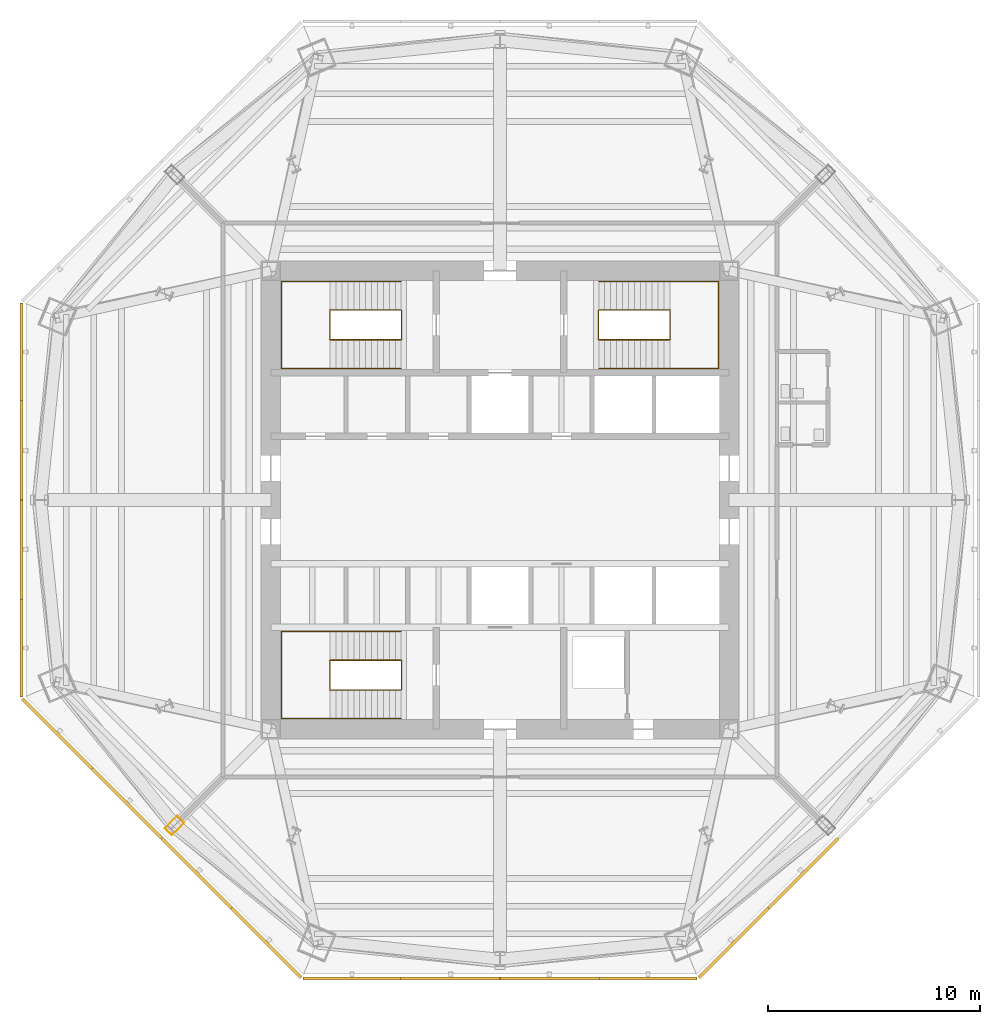
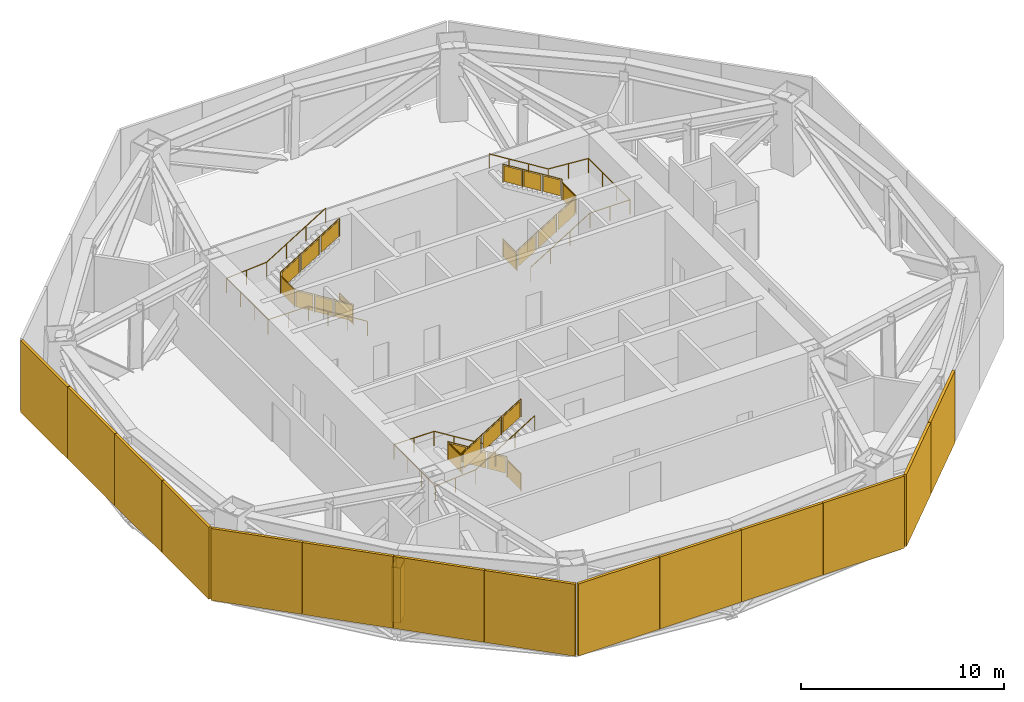
# One storey, part 8 of 10: 14 shading devices, 6 railings, 1 covering.
"""IFC4 building model written with IfcOpenShell, lengths in metres."""

from ifc_helpers import new_model, si_unit, direction, frame, origin, origin_2d, place, context, subcontext, project, spatial, polyline, rectangle, circle, outline, extrude, source, transform, mapped, material, layer, layer_set, type_object, type_shapes, element, save


model = new_model("IFC4")

# Units and contexts
model_context = context("Model", 3, precision=1e-05, world=origin(), true_north=direction((0.0, 1.0)))
body_context = subcontext(model_context, "Body", "Model", "MODEL_VIEW")
ifc_project = project(units=[si_unit("LENGTHUNIT", "METRE"), si_unit("AREAUNIT", "SQUARE_METRE"), si_unit("VOLUMEUNIT", "CUBIC_METRE"), si_unit("PLANEANGLEUNIT", "RADIAN"), si_unit("MASSUNIT", "GRAM", prefix="KILO")], contexts=[model_context])

# Site, building, storey
site_placement = place(None, origin())
site = spatial("IfcSite", under=ifc_project, at=site_placement, CompositionType="ELEMENT")
building_placement = place(site_placement, origin())
building = spatial("IfcBuilding", under=site, at=building_placement, Name="Mashrafa Tower", CompositionType="ELEMENT")
storey_placement = place(building_placement, frame((0.0, 0.0, 193.5)))
storey = spatial("IfcBuildingStorey", under=building, at=storey_placement, Name="L44", CompositionType="ELEMENT", Elevation=193.5)

# Covering
ifc_material_1 = material(Name="Gypsum board")
ifc_layer_1 = layer(ifc_material_1, 0.014892578125)
ifc_layer_set_1 = layer_set([ifc_layer_1], Name="Column casing plasterboard 15")
covering_type = type_object("IfcCoveringType", Name="Column casing plasterboard 15", PredefinedType="CLADDING", material=ifc_layer_set_1)
covering_placement = place(storey_placement, origin())
element("IfcCovering", 1, at=covering_placement, inside=storey, type_object=covering_type, Name="Column casing L44-003", PredefinedType="CLADDING", context=body_context, shape_type="SweptSolid", body=[
    extrude(outline(polyline([(-15.801025390625, -15.461669921875), (-15.20849609375, -14.869140625), (-14.869140625, -15.20849609375), (-15.461669921875, -15.801025390625), (-15.801025390625, -15.461669921875)]), holes=[polyline([(-14.890380859375, -15.20849609375), (-15.20849609375, -14.890380859375), (-15.77978515625, -15.461669921875), (-15.461669921875, -15.77978515625), (-14.890380859375, -15.20849609375)])]), origin(), (0.0, 0.0, 1.0), 3.31298828125),
])

# Railings
ifc_material_2 = material(Name="Steel guard with glass infill", Category="steel")
railing_type_1 = type_object("IfcRailingType", Name="Stair guard 1100", PredefinedType="GUARDRAIL", material=ifc_material_2)
railing_1_placement = place(storey_placement, frame((-4.64990234375, 8.949951171875, 0.0)))
element("IfcRailing", 2, at=railing_1_placement, inside=storey, type_object=railing_type_1, Name="Stair S1 guard L44", PredefinedType="GUARDRAIL", context=body_context, shape_type="SweptSolid", body=[
    extrude(circle(Radius=0.02392578125, at=origin_2d()), frame((0.0, 0.0, 1.076171875), z_axis=(0.0, -1.0, 0.0), x_axis=(1.0, 0.0, 0.0)), (0.0, 0.0, 1.0), 1.39990234375),
    extrude(circle(Radius=0.02392578125, at=origin_2d()), frame((0.0, -1.39990234375, 1.076171875), z_axis=(0.0, 0.0, 1.0), x_axis=(1.0, 0.0, 0.0)), (0.0, 0.0, 1.0), 0.173095703125),
    extrude(circle(Radius=0.02392578125, at=origin_2d()), frame((0.0, -1.39990234375, 1.2490234375), z_axis=(-0.850623216509, 0.0, 0.525775754039), x_axis=(0.0, -1.0, 0.0)), (0.0, 0.0, 1.0), 3.9501953125),
    extrude(circle(Radius=0.02392578125, at=origin_2d()), frame((-3.360107421875, -1.39990234375, 3.326171875), z_axis=(0.0, 1.0, 0.0), x_axis=(-1.0, 0.0, 0.0)), (0.0, 0.0, 1.0), 1.39990234375),
    extrude(circle(Radius=0.02392578125, at=origin_2d()), frame((-3.360107421875, 0.0, 3.326171875), z_axis=(0.0, 0.0, 1.0), x_axis=(1.0, 0.0, 0.0)), (0.0, 0.0, 1.0), 0.173095703125),
    extrude(circle(Radius=0.02392578125, at=origin_2d()), frame((-3.360107421875, 0.0, 3.4990234375), z_axis=(0.850623216509, 0.0, 0.525775754039), x_axis=(0.0, 1.0, 0.0)), (0.0, 0.0, 1.0), 3.9501953125),
    extrude(circle(Radius=0.02099609375, at=origin_2d()), origin(), (0.0, 0.0, 1.0), 1.052001953125),
    extrude(circle(Radius=0.02099609375, at=origin_2d()), frame((0.0, -1.39990234375, 0.0)), (0.0, 0.0, 1.0), 1.052001953125),
    extrude(circle(Radius=0.02099609375, at=origin_2d()), frame((0.0, -1.39990234375, 0.173095703125)), (0.0, 0.0, 1.0), 1.052001953125),
    extrude(circle(Radius=0.02099609375, at=origin_2d()), frame((-1.1201171875, -1.39990234375, 0.865478515625)), (0.0, 0.0, 1.0), 1.052001953125),
    extrude(circle(Radius=0.02099609375, at=origin_2d()), frame((-2.239990234375, -1.39990234375, 1.5576171875)), (0.0, 0.0, 1.0), 1.052001953125),
    extrude(circle(Radius=0.02099609375, at=origin_2d()), frame((-3.360107421875, -1.39990234375, 2.25)), (0.0, 0.0, 1.0), 1.052001953125),
    extrude(circle(Radius=0.02099609375, at=origin_2d()), frame((-3.360107421875, 0.0, 2.25)), (0.0, 0.0, 1.0), 1.052001953125),
    extrude(circle(Radius=0.02099609375, at=origin_2d()), frame((-3.360107421875, 0.0, 2.423095703125)), (0.0, 0.0, 1.0), 1.052001953125),
    extrude(circle(Radius=0.02099609375, at=origin_2d()), frame((-2.239990234375, 0.0, 3.115478515625)), (0.0, 0.0, 1.0), 1.052001953125),
    extrude(circle(Radius=0.02099609375, at=origin_2d()), frame((-1.1201171875, 0.0, 3.8076171875)), (0.0, 0.0, 1.0), 1.052001953125),
    extrude(circle(Radius=0.02099609375, at=origin_2d()), frame((0.0, 0.0, 4.5)), (0.0, 0.0, 1.0), 1.052001953125),
    extrude(outline(polyline([(0.071044921875, 0.050048828125), (1.328857421875, 0.050048828125), (1.328857421875, 1.001953125), (0.071044921875, 1.001953125), (0.071044921875, 0.050048828125)])), frame((-0.006103515625, 0.0, 0.0), z_axis=(-1.0, 0.0, 0.0), x_axis=(0.0, -1.0, 0.0)), (0.0, 0.0, 1.0), 0.011962890625),
    extrude(outline(polyline([(0.071044921875, 0.093994140625), (1.049072265625, 0.698486328125), (1.049072265625, 1.650390625), (0.071044921875, 1.0458984375), (0.071044921875, 0.093994140625)])), frame((0.0, -1.393798828125, 0.173095703125), z_axis=(0.0, 1.0, 0.0), x_axis=(-1.0, 0.0, 0.0)), (0.0, 0.0, 1.0), 0.011962890625),
    extrude(outline(polyline([(1.19091796875, 0.7861328125), (2.169189453125, 1.390625), (2.169189453125, 2.3427734375), (1.19091796875, 1.73828125), (1.19091796875, 0.7861328125)])), frame((0.0, -1.393798828125, 0.173095703125), z_axis=(0.0, 1.0, 0.0), x_axis=(-1.0, 0.0, 0.0)), (0.0, 0.0, 1.0), 0.011962890625),
    extrude(outline(polyline([(2.31103515625, 1.478515625), (3.2890625, 2.0830078125), (3.2890625, 3.034912109375), (2.31103515625, 2.430419921875), (2.31103515625, 1.478515625)])), frame((0.0, -1.393798828125, 0.173095703125), z_axis=(0.0, 1.0, 0.0), x_axis=(-1.0, 0.0, 0.0)), (0.0, 0.0, 1.0), 0.011962890625),
    extrude(outline(polyline([(0.071044921875, 0.050048828125), (1.328857421875, 0.050048828125), (1.328857421875, 1.001953125), (0.071044921875, 1.001953125), (0.071044921875, 0.050048828125)])), frame((-3.35400390625, -1.39990234375, 2.25), z_axis=(1.0, 0.0, 0.0), x_axis=(0.0, 1.0, 0.0)), (0.0, 0.0, 1.0), 0.011962890625),
    extrude(outline(polyline([(0.071044921875, 0.093994140625), (1.049072265625, 0.698486328125), (1.049072265625, 1.650390625), (0.071044921875, 1.0458984375), (0.071044921875, 0.093994140625)])), frame((-3.360107421875, -0.006103515625, 2.423095703125), z_axis=(0.0, -1.0, 0.0), x_axis=(1.0, 0.0, 0.0)), (0.0, 0.0, 1.0), 0.011962890625),
    extrude(outline(polyline([(1.19091796875, 0.7861328125), (2.169189453125, 1.390625), (2.169189453125, 2.3427734375), (1.19091796875, 1.73828125), (1.19091796875, 0.7861328125)])), frame((-3.360107421875, -0.006103515625, 2.423095703125), z_axis=(0.0, -1.0, 0.0), x_axis=(1.0, 0.0, 0.0)), (0.0, 0.0, 1.0), 0.011962890625),
    extrude(outline(polyline([(2.31103515625, 1.478515625), (3.2890625, 2.0830078125), (3.2890625, 3.034912109375), (2.31103515625, 2.430419921875), (2.31103515625, 1.478515625)])), frame((-3.360107421875, -0.006103515625, 2.423095703125), z_axis=(0.0, -1.0, 0.0), x_axis=(1.0, 0.0, 0.0)), (0.0, 0.0, 1.0), 0.011962890625),
])
railing_2_placement = place(storey_placement, frame((4.64990234375, 8.949951171875, 0.0)))
element("IfcRailing", 3, at=railing_2_placement, inside=storey, type_object=railing_type_1, Name="Stair S2 guard L44", PredefinedType="GUARDRAIL", context=body_context, shape_type="SweptSolid", body=[
    extrude(circle(Radius=0.02392578125, at=origin_2d()), frame((0.0, 0.0, 1.076171875), z_axis=(0.0, -1.0, 0.0), x_axis=(1.0, 0.0, 0.0)), (0.0, 0.0, 1.0), 1.39990234375),
    extrude(circle(Radius=0.02392578125, at=origin_2d()), frame((0.0, -1.39990234375, 1.076171875), z_axis=(0.0, 0.0, 1.0), x_axis=(1.0, 0.0, 0.0)), (0.0, 0.0, 1.0), 0.173095703125),
    extrude(circle(Radius=0.02392578125, at=origin_2d()), frame((0.0, -1.39990234375, 1.2490234375), z_axis=(0.850623216509, 0.0, 0.525775754039), x_axis=(0.0, 1.0, 0.0)), (0.0, 0.0, 1.0), 3.9501953125),
    extrude(circle(Radius=0.02392578125, at=origin_2d()), frame((3.360107421875, -1.39990234375, 3.326171875), z_axis=(0.0, 1.0, 0.0), x_axis=(-1.0, 0.0, 0.0)), (0.0, 0.0, 1.0), 1.39990234375),
    extrude(circle(Radius=0.02392578125, at=origin_2d()), frame((3.360107421875, 0.0, 3.326171875), z_axis=(0.0, 0.0, 1.0), x_axis=(1.0, 0.0, 0.0)), (0.0, 0.0, 1.0), 0.173095703125),
    extrude(circle(Radius=0.02392578125, at=origin_2d()), frame((3.360107421875, 0.0, 3.4990234375), z_axis=(-0.850623216509, 0.0, 0.525775754039), x_axis=(0.0, -1.0, 0.0)), (0.0, 0.0, 1.0), 3.9501953125),
    extrude(circle(Radius=0.02099609375, at=origin_2d()), origin(), (0.0, 0.0, 1.0), 1.052001953125),
    extrude(circle(Radius=0.02099609375, at=origin_2d()), frame((0.0, -1.39990234375, 0.0)), (0.0, 0.0, 1.0), 1.052001953125),
    extrude(circle(Radius=0.02099609375, at=origin_2d()), frame((0.0, -1.39990234375, 0.173095703125)), (0.0, 0.0, 1.0), 1.052001953125),
    extrude(circle(Radius=0.02099609375, at=origin_2d()), frame((1.1201171875, -1.39990234375, 0.865478515625)), (0.0, 0.0, 1.0), 1.052001953125),
    extrude(circle(Radius=0.02099609375, at=origin_2d()), frame((2.239990234375, -1.39990234375, 1.5576171875)), (0.0, 0.0, 1.0), 1.052001953125),
    extrude(circle(Radius=0.02099609375, at=origin_2d()), frame((3.360107421875, -1.39990234375, 2.25)), (0.0, 0.0, 1.0), 1.052001953125),
    extrude(circle(Radius=0.02099609375, at=origin_2d()), frame((3.360107421875, 0.0, 2.25)), (0.0, 0.0, 1.0), 1.052001953125),
    extrude(circle(Radius=0.02099609375, at=origin_2d()), frame((3.360107421875, 0.0, 2.423095703125)), (0.0, 0.0, 1.0), 1.052001953125),
    extrude(circle(Radius=0.02099609375, at=origin_2d()), frame((2.239990234375, 0.0, 3.115478515625)), (0.0, 0.0, 1.0), 1.052001953125),
    extrude(circle(Radius=0.02099609375, at=origin_2d()), frame((1.1201171875, 0.0, 3.8076171875)), (0.0, 0.0, 1.0), 1.052001953125),
    extrude(circle(Radius=0.02099609375, at=origin_2d()), frame((0.0, 0.0, 4.5)), (0.0, 0.0, 1.0), 1.052001953125),
    extrude(outline(polyline([(0.071044921875, 0.050048828125), (1.328857421875, 0.050048828125), (1.328857421875, 1.001953125), (0.071044921875, 1.001953125), (0.071044921875, 0.050048828125)])), frame((-0.006103515625, 0.0, 0.0), z_axis=(-1.0, 0.0, 0.0), x_axis=(0.0, -1.0, 0.0)), (0.0, 0.0, 1.0), 0.011962890625),
    extrude(outline(polyline([(0.071044921875, 0.093994140625), (1.049072265625, 0.698486328125), (1.049072265625, 1.650390625), (0.071044921875, 1.0458984375), (0.071044921875, 0.093994140625)])), frame((0.0, -1.406005859375, 0.173095703125), z_axis=(0.0, -1.0, 0.0), x_axis=(1.0, 0.0, 0.0)), (0.0, 0.0, 1.0), 0.011962890625),
    extrude(outline(polyline([(1.19091796875, 0.7861328125), (2.169189453125, 1.390625), (2.169189453125, 2.3427734375), (1.19091796875, 1.73828125), (1.19091796875, 0.7861328125)])), frame((0.0, -1.406005859375, 0.173095703125), z_axis=(0.0, -1.0, 0.0), x_axis=(1.0, 0.0, 0.0)), (0.0, 0.0, 1.0), 0.011962890625),
    extrude(outline(polyline([(2.31103515625, 1.478515625), (3.2890625, 2.0830078125), (3.2890625, 3.034912109375), (2.31103515625, 2.430419921875), (2.31103515625, 1.478515625)])), frame((0.0, -1.406005859375, 0.173095703125), z_axis=(0.0, -1.0, 0.0), x_axis=(1.0, 0.0, 0.0)), (0.0, 0.0, 1.0), 0.011962890625),
    extrude(outline(polyline([(0.071044921875, 0.050048828125), (1.328857421875, 0.050048828125), (1.328857421875, 1.001953125), (0.071044921875, 1.001953125), (0.071044921875, 0.050048828125)])), frame((3.3662109375, -1.39990234375, 2.25), z_axis=(1.0, 0.0, 0.0), x_axis=(0.0, 1.0, 0.0)), (0.0, 0.0, 1.0), 0.011962890625),
    extrude(outline(polyline([(0.071044921875, 0.093994140625), (1.049072265625, 0.698486328125), (1.049072265625, 1.650390625), (0.071044921875, 1.0458984375), (0.071044921875, 0.093994140625)])), frame((3.360107421875, 0.006103515625, 2.423095703125), z_axis=(0.0, 1.0, 0.0), x_axis=(-1.0, 0.0, 0.0)), (0.0, 0.0, 1.0), 0.011962890625),
    extrude(outline(polyline([(1.19091796875, 0.7861328125), (2.169189453125, 1.390625), (2.169189453125, 2.3427734375), (1.19091796875, 1.73828125), (1.19091796875, 0.7861328125)])), frame((3.360107421875, 0.006103515625, 2.423095703125), z_axis=(0.0, 1.0, 0.0), x_axis=(-1.0, 0.0, 0.0)), (0.0, 0.0, 1.0), 0.011962890625),
    extrude(outline(polyline([(2.31103515625, 1.478515625), (3.2890625, 2.0830078125), (3.2890625, 3.034912109375), (2.31103515625, 2.430419921875), (2.31103515625, 1.478515625)])), frame((3.360107421875, 0.006103515625, 2.423095703125), z_axis=(0.0, 1.0, 0.0), x_axis=(-1.0, 0.0, 0.0)), (0.0, 0.0, 1.0), 0.011962890625),
])
railing_3_placement = place(storey_placement, frame((-4.64990234375, -8.949951171875, 0.0)))
element("IfcRailing", 4, at=railing_3_placement, inside=storey, type_object=railing_type_1, Name="Stair S3 guard L44", PredefinedType="GUARDRAIL", context=body_context, shape_type="SweptSolid", body=[
    extrude(circle(Radius=0.02392578125, at=origin_2d()), frame((0.0, 0.0, 1.076171875), z_axis=(0.0, 1.0, 0.0), x_axis=(-1.0, 0.0, 0.0)), (0.0, 0.0, 1.0), 1.39990234375),
    extrude(circle(Radius=0.02392578125, at=origin_2d()), frame((0.0, 1.39990234375, 1.076171875), z_axis=(0.0, 0.0, 1.0), x_axis=(1.0, 0.0, 0.0)), (0.0, 0.0, 1.0), 0.173095703125),
    extrude(circle(Radius=0.02392578125, at=origin_2d()), frame((0.0, 1.39990234375, 1.2490234375), z_axis=(-0.850623216509, 0.0, 0.525775754039), x_axis=(0.0, -1.0, 0.0)), (0.0, 0.0, 1.0), 3.9501953125),
    extrude(circle(Radius=0.02392578125, at=origin_2d()), frame((-3.360107421875, 1.39990234375, 3.326171875), z_axis=(0.0, -1.0, 0.0), x_axis=(1.0, 0.0, 0.0)), (0.0, 0.0, 1.0), 1.39990234375),
    extrude(circle(Radius=0.02392578125, at=origin_2d()), frame((-3.360107421875, 0.0, 3.326171875), z_axis=(0.0, 0.0, 1.0), x_axis=(1.0, 0.0, 0.0)), (0.0, 0.0, 1.0), 0.173095703125),
    extrude(circle(Radius=0.02392578125, at=origin_2d()), frame((-3.360107421875, 0.0, 3.4990234375), z_axis=(0.850623216509, 0.0, 0.525775754039), x_axis=(0.0, 1.0, 0.0)), (0.0, 0.0, 1.0), 3.9501953125),
    extrude(circle(Radius=0.02099609375, at=origin_2d()), origin(), (0.0, 0.0, 1.0), 1.052001953125),
    extrude(circle(Radius=0.02099609375, at=origin_2d()), frame((0.0, 1.39990234375, 0.0)), (0.0, 0.0, 1.0), 1.052001953125),
    extrude(circle(Radius=0.02099609375, at=origin_2d()), frame((0.0, 1.39990234375, 0.173095703125)), (0.0, 0.0, 1.0), 1.052001953125),
    extrude(circle(Radius=0.02099609375, at=origin_2d()), frame((-1.1201171875, 1.39990234375, 0.865478515625)), (0.0, 0.0, 1.0), 1.052001953125),
    extrude(circle(Radius=0.02099609375, at=origin_2d()), frame((-2.239990234375, 1.39990234375, 1.5576171875)), (0.0, 0.0, 1.0), 1.052001953125),
    extrude(circle(Radius=0.02099609375, at=origin_2d()), frame((-3.360107421875, 1.39990234375, 2.25)), (0.0, 0.0, 1.0), 1.052001953125),
    extrude(circle(Radius=0.02099609375, at=origin_2d()), frame((-3.360107421875, 0.0, 2.25)), (0.0, 0.0, 1.0), 1.052001953125),
    extrude(circle(Radius=0.02099609375, at=origin_2d()), frame((-3.360107421875, 0.0, 2.423095703125)), (0.0, 0.0, 1.0), 1.052001953125),
    extrude(circle(Radius=0.02099609375, at=origin_2d()), frame((-2.239990234375, 0.0, 3.115478515625)), (0.0, 0.0, 1.0), 1.052001953125),
    extrude(circle(Radius=0.02099609375, at=origin_2d()), frame((-1.1201171875, 0.0, 3.8076171875)), (0.0, 0.0, 1.0), 1.052001953125),
    extrude(circle(Radius=0.02099609375, at=origin_2d()), frame((0.0, 0.0, 4.5)), (0.0, 0.0, 1.0), 1.052001953125),
    extrude(outline(polyline([(0.071044921875, 0.050048828125), (1.328857421875, 0.050048828125), (1.328857421875, 1.001953125), (0.071044921875, 1.001953125), (0.071044921875, 0.050048828125)])), frame((0.006103515625, 0.0, 0.0), z_axis=(1.0, 0.0, 0.0), x_axis=(0.0, 1.0, 0.0)), (0.0, 0.0, 1.0), 0.011962890625),
    extrude(outline(polyline([(0.071044921875, 0.093994140625), (1.049072265625, 0.698486328125), (1.049072265625, 1.650390625), (0.071044921875, 1.0458984375), (0.071044921875, 0.093994140625)])), frame((0.0, 1.406005859375, 0.173095703125), z_axis=(0.0, 1.0, 0.0), x_axis=(-1.0, 0.0, 0.0)), (0.0, 0.0, 1.0), 0.011962890625),
    extrude(outline(polyline([(1.19091796875, 0.7861328125), (2.169189453125, 1.390625), (2.169189453125, 2.3427734375), (1.19091796875, 1.73828125), (1.19091796875, 0.7861328125)])), frame((0.0, 1.406005859375, 0.173095703125), z_axis=(0.0, 1.0, 0.0), x_axis=(-1.0, 0.0, 0.0)), (0.0, 0.0, 1.0), 0.011962890625),
    extrude(outline(polyline([(2.31103515625, 1.478515625), (3.2890625, 2.0830078125), (3.2890625, 3.034912109375), (2.31103515625, 2.430419921875), (2.31103515625, 1.478515625)])), frame((0.0, 1.406005859375, 0.173095703125), z_axis=(0.0, 1.0, 0.0), x_axis=(-1.0, 0.0, 0.0)), (0.0, 0.0, 1.0), 0.011962890625),
    extrude(outline(polyline([(0.071044921875, 0.050048828125), (1.328857421875, 0.050048828125), (1.328857421875, 1.001953125), (0.071044921875, 1.001953125), (0.071044921875, 0.050048828125)])), frame((-3.3662109375, 1.39990234375, 2.25), z_axis=(-1.0, 0.0, 0.0), x_axis=(0.0, -1.0, 0.0)), (0.0, 0.0, 1.0), 0.011962890625),
    extrude(outline(polyline([(0.071044921875, 0.093994140625), (1.049072265625, 0.698486328125), (1.049072265625, 1.650390625), (0.071044921875, 1.0458984375), (0.071044921875, 0.093994140625)])), frame((-3.360107421875, -0.006103515625, 2.423095703125), z_axis=(0.0, -1.0, 0.0), x_axis=(1.0, 0.0, 0.0)), (0.0, 0.0, 1.0), 0.011962890625),
    extrude(outline(polyline([(1.19091796875, 0.7861328125), (2.169189453125, 1.390625), (2.169189453125, 2.3427734375), (1.19091796875, 1.73828125), (1.19091796875, 0.7861328125)])), frame((-3.360107421875, -0.006103515625, 2.423095703125), z_axis=(0.0, -1.0, 0.0), x_axis=(1.0, 0.0, 0.0)), (0.0, 0.0, 1.0), 0.011962890625),
    extrude(outline(polyline([(2.31103515625, 1.478515625), (3.2890625, 2.0830078125), (3.2890625, 3.034912109375), (2.31103515625, 2.430419921875), (2.31103515625, 1.478515625)])), frame((-3.360107421875, -0.006103515625, 2.423095703125), z_axis=(0.0, -1.0, 0.0), x_axis=(1.0, 0.0, 0.0)), (0.0, 0.0, 1.0), 0.011962890625),
])
ifc_material_3 = material(Name="Steel", Category="steel")
railing_type_2 = type_object("IfcRailingType", Name="Stair handrail 900", PredefinedType="HANDRAIL", material=ifc_material_3)
railing_4_placement = place(storey_placement, frame((-4.64990234375, 6.199951171875, 0.173095703125)))
element("IfcRailing", 5, at=railing_4_placement, inside=storey, type_object=railing_type_2, Name="Stair S1 handrail L44", PredefinedType="HANDRAIL", context=body_context, shape_type="SweptSolid", body=[
    extrude(circle(Radius=0.02392578125, at=origin_2d()), frame((0.0, 0.0, 0.8759765625), z_axis=(-0.850623216509, 0.0, 0.525775754039), x_axis=(0.0, -1.0, 0.0)), (0.0, 0.0, 1.0), 3.9501953125),
    extrude(circle(Radius=0.02392578125, at=origin_2d()), frame((-3.360107421875, 0.0, 2.95263671875), z_axis=(-1.0, 0.0, 0.0), x_axis=(0.0, -1.0, 0.0)), (0.0, 0.0, 1.0), 2.2900390625),
    extrude(circle(Radius=0.02392578125, at=origin_2d()), frame((-5.650146484375, 0.0, 2.95263671875), z_axis=(0.0, 1.0, 0.0), x_axis=(-1.0, 0.0, 0.0)), (0.0, 0.0, 1.0), 4.10009765625),
    extrude(circle(Radius=0.02392578125, at=origin_2d()), frame((-5.650146484375, 4.10009765625, 2.95263671875), z_axis=(0.99715553422, 0.0, 0.075371351147), x_axis=(0.0, 1.0, 0.0)), (0.0, 0.0, 1.0), 2.296630859375),
    extrude(circle(Radius=0.02392578125, at=origin_2d()), frame((-3.360107421875, 4.10009765625, 3.1259765625), z_axis=(0.850623216509, 0.0, 0.525775754039), x_axis=(0.0, 1.0, 0.0)), (0.0, 0.0, 1.0), 3.9501953125),
    extrude(circle(Radius=0.02099609375, at=origin_2d()), origin(), (0.0, 0.0, 1.0), 0.851806640625),
    extrude(circle(Radius=0.02099609375, at=origin_2d()), frame((-1.1201171875, 0.0, 0.6923828125)), (0.0, 0.0, 1.0), 0.851806640625),
    extrude(circle(Radius=0.02099609375, at=origin_2d()), frame((-2.239990234375, 0.0, 1.384521484375)), (0.0, 0.0, 1.0), 0.851806640625),
    extrude(circle(Radius=0.02099609375, at=origin_2d()), frame((-3.360107421875, 0.0, 2.076904296875)), (0.0, 0.0, 1.0), 0.851806640625),
    extrude(circle(Radius=0.02099609375, at=origin_2d()), frame((-4.505126953125, 0.0, 2.076904296875)), (0.0, 0.0, 1.0), 0.851806640625),
    extrude(circle(Radius=0.02099609375, at=origin_2d()), frame((-5.650146484375, 0.0, 2.076904296875)), (0.0, 0.0, 1.0), 0.851806640625),
    extrude(circle(Radius=0.02099609375, at=origin_2d()), frame((-5.650146484375, 1.36669921875, 2.076904296875)), (0.0, 0.0, 1.0), 0.851806640625),
    extrude(circle(Radius=0.02099609375, at=origin_2d()), frame((-5.650146484375, 2.7333984375, 2.076904296875)), (0.0, 0.0, 1.0), 0.851806640625),
    extrude(circle(Radius=0.02099609375, at=origin_2d()), frame((-5.650146484375, 4.10009765625, 2.076904296875)), (0.0, 0.0, 1.0), 0.851806640625),
    extrude(circle(Radius=0.02099609375, at=origin_2d()), frame((-4.505126953125, 4.10009765625, 2.16357421875)), (0.0, 0.0, 1.0), 0.851806640625),
    extrude(circle(Radius=0.02099609375, at=origin_2d()), frame((-3.360107421875, 4.10009765625, 2.25)), (0.0, 0.0, 1.0), 0.851806640625),
    extrude(circle(Radius=0.02099609375, at=origin_2d()), frame((-2.239990234375, 4.10009765625, 2.9423828125)), (0.0, 0.0, 1.0), 0.851806640625),
    extrude(circle(Radius=0.02099609375, at=origin_2d()), frame((-1.1201171875, 4.10009765625, 3.634521484375)), (0.0, 0.0, 1.0), 0.851806640625),
    extrude(circle(Radius=0.02099609375, at=origin_2d()), frame((0.0, 4.10009765625, 4.326904296875)), (0.0, 0.0, 1.0), 0.851806640625),
])
railing_5_placement = place(storey_placement, frame((4.64990234375, 6.199951171875, 0.173095703125)))
element("IfcRailing", 6, at=railing_5_placement, inside=storey, type_object=railing_type_2, Name="Stair S2 handrail L44", PredefinedType="HANDRAIL", context=body_context, shape_type="SweptSolid", body=[
    extrude(circle(Radius=0.02392578125, at=origin_2d()), frame((0.0, 0.0, 0.8759765625), z_axis=(0.850623216509, 0.0, 0.525775754039), x_axis=(0.0, 1.0, 0.0)), (0.0, 0.0, 1.0), 3.9501953125),
    extrude(circle(Radius=0.02392578125, at=origin_2d()), frame((3.360107421875, 0.0, 2.95263671875), z_axis=(1.0, 0.0, 0.0), x_axis=(0.0, 1.0, 0.0)), (0.0, 0.0, 1.0), 2.2900390625),
    extrude(circle(Radius=0.02392578125, at=origin_2d()), frame((5.650146484375, 0.0, 2.95263671875), z_axis=(0.0, 1.0, 0.0), x_axis=(-1.0, 0.0, 0.0)), (0.0, 0.0, 1.0), 4.10009765625),
    extrude(circle(Radius=0.02392578125, at=origin_2d()), frame((5.650146484375, 4.10009765625, 2.95263671875), z_axis=(-0.99715553422, 0.0, 0.075371351147), x_axis=(0.0, -1.0, 0.0)), (0.0, 0.0, 1.0), 2.296630859375),
    extrude(circle(Radius=0.02392578125, at=origin_2d()), frame((3.360107421875, 4.10009765625, 3.1259765625), z_axis=(-0.850623216509, 0.0, 0.525775754039), x_axis=(0.0, -1.0, 0.0)), (0.0, 0.0, 1.0), 3.9501953125),
    extrude(circle(Radius=0.02099609375, at=origin_2d()), origin(), (0.0, 0.0, 1.0), 0.851806640625),
    extrude(circle(Radius=0.02099609375, at=origin_2d()), frame((1.1201171875, 0.0, 0.6923828125)), (0.0, 0.0, 1.0), 0.851806640625),
    extrude(circle(Radius=0.02099609375, at=origin_2d()), frame((2.239990234375, 0.0, 1.384521484375)), (0.0, 0.0, 1.0), 0.851806640625),
    extrude(circle(Radius=0.02099609375, at=origin_2d()), frame((3.360107421875, 0.0, 2.076904296875)), (0.0, 0.0, 1.0), 0.851806640625),
    extrude(circle(Radius=0.02099609375, at=origin_2d()), frame((4.505126953125, 0.0, 2.076904296875)), (0.0, 0.0, 1.0), 0.851806640625),
    extrude(circle(Radius=0.02099609375, at=origin_2d()), frame((5.650146484375, 0.0, 2.076904296875)), (0.0, 0.0, 1.0), 0.851806640625),
    extrude(circle(Radius=0.02099609375, at=origin_2d()), frame((5.650146484375, 1.36669921875, 2.076904296875)), (0.0, 0.0, 1.0), 0.851806640625),
    extrude(circle(Radius=0.02099609375, at=origin_2d()), frame((5.650146484375, 2.7333984375, 2.076904296875)), (0.0, 0.0, 1.0), 0.851806640625),
    extrude(circle(Radius=0.02099609375, at=origin_2d()), frame((5.650146484375, 4.10009765625, 2.076904296875)), (0.0, 0.0, 1.0), 0.851806640625),
    extrude(circle(Radius=0.02099609375, at=origin_2d()), frame((4.505126953125, 4.10009765625, 2.16357421875)), (0.0, 0.0, 1.0), 0.851806640625),
    extrude(circle(Radius=0.02099609375, at=origin_2d()), frame((3.360107421875, 4.10009765625, 2.25)), (0.0, 0.0, 1.0), 0.851806640625),
    extrude(circle(Radius=0.02099609375, at=origin_2d()), frame((2.239990234375, 4.10009765625, 2.9423828125)), (0.0, 0.0, 1.0), 0.851806640625),
    extrude(circle(Radius=0.02099609375, at=origin_2d()), frame((1.1201171875, 4.10009765625, 3.634521484375)), (0.0, 0.0, 1.0), 0.851806640625),
    extrude(circle(Radius=0.02099609375, at=origin_2d()), frame((0.0, 4.10009765625, 4.326904296875)), (0.0, 0.0, 1.0), 0.851806640625),
])
railing_6_placement = place(storey_placement, frame((-4.64990234375, -6.199951171875, 0.173095703125)))
element("IfcRailing", 7, at=railing_6_placement, inside=storey, type_object=railing_type_2, Name="Stair S3 handrail L44", PredefinedType="HANDRAIL", context=body_context, shape_type="SweptSolid", body=[
    extrude(circle(Radius=0.02392578125, at=origin_2d()), frame((0.0, 0.0, 0.8759765625), z_axis=(-0.850623216509, 0.0, 0.525775754039), x_axis=(0.0, -1.0, 0.0)), (0.0, 0.0, 1.0), 3.9501953125),
    extrude(circle(Radius=0.02392578125, at=origin_2d()), frame((-3.360107421875, 0.0, 2.95263671875), z_axis=(-1.0, 0.0, 0.0), x_axis=(0.0, -1.0, 0.0)), (0.0, 0.0, 1.0), 2.2900390625),
    extrude(circle(Radius=0.02392578125, at=origin_2d()), frame((-5.650146484375, 0.0, 2.95263671875), z_axis=(0.0, -1.0, 0.0), x_axis=(1.0, 0.0, 0.0)), (0.0, 0.0, 1.0), 4.10009765625),
    extrude(circle(Radius=0.02392578125, at=origin_2d()), frame((-5.650146484375, -4.10009765625, 2.95263671875), z_axis=(0.99715553422, 0.0, 0.075371351147), x_axis=(0.0, 1.0, 0.0)), (0.0, 0.0, 1.0), 2.296630859375),
    extrude(circle(Radius=0.02392578125, at=origin_2d()), frame((-3.360107421875, -4.10009765625, 3.1259765625), z_axis=(0.850623216509, 0.0, 0.525775754039), x_axis=(0.0, 1.0, 0.0)), (0.0, 0.0, 1.0), 3.9501953125),
    extrude(circle(Radius=0.02099609375, at=origin_2d()), origin(), (0.0, 0.0, 1.0), 0.851806640625),
    extrude(circle(Radius=0.02099609375, at=origin_2d()), frame((-1.1201171875, 0.0, 0.6923828125)), (0.0, 0.0, 1.0), 0.851806640625),
    extrude(circle(Radius=0.02099609375, at=origin_2d()), frame((-2.239990234375, 0.0, 1.384521484375)), (0.0, 0.0, 1.0), 0.851806640625),
    extrude(circle(Radius=0.02099609375, at=origin_2d()), frame((-3.360107421875, 0.0, 2.076904296875)), (0.0, 0.0, 1.0), 0.851806640625),
    extrude(circle(Radius=0.02099609375, at=origin_2d()), frame((-4.505126953125, 0.0, 2.076904296875)), (0.0, 0.0, 1.0), 0.851806640625),
    extrude(circle(Radius=0.02099609375, at=origin_2d()), frame((-5.650146484375, 0.0, 2.076904296875)), (0.0, 0.0, 1.0), 0.851806640625),
    extrude(circle(Radius=0.02099609375, at=origin_2d()), frame((-5.650146484375, -1.36669921875, 2.076904296875)), (0.0, 0.0, 1.0), 0.851806640625),
    extrude(circle(Radius=0.02099609375, at=origin_2d()), frame((-5.650146484375, -2.7333984375, 2.076904296875)), (0.0, 0.0, 1.0), 0.851806640625),
    extrude(circle(Radius=0.02099609375, at=origin_2d()), frame((-5.650146484375, -4.10009765625, 2.076904296875)), (0.0, 0.0, 1.0), 0.851806640625),
    extrude(circle(Radius=0.02099609375, at=origin_2d()), frame((-4.505126953125, -4.10009765625, 2.16357421875)), (0.0, 0.0, 1.0), 0.851806640625),
    extrude(circle(Radius=0.02099609375, at=origin_2d()), frame((-3.360107421875, -4.10009765625, 2.25)), (0.0, 0.0, 1.0), 0.851806640625),
    extrude(circle(Radius=0.02099609375, at=origin_2d()), frame((-2.239990234375, -4.10009765625, 2.9423828125)), (0.0, 0.0, 1.0), 0.851806640625),
    extrude(circle(Radius=0.02099609375, at=origin_2d()), frame((-1.1201171875, -4.10009765625, 3.634521484375)), (0.0, 0.0, 1.0), 0.851806640625),
    extrude(circle(Radius=0.02099609375, at=origin_2d()), frame((0.0, -4.10009765625, 4.326904296875)), (0.0, 0.0, 1.0), 0.851806640625),
])

# Shading devices
ifc_material_4 = material(Name="Extruded aluminium weather louvre", Category="aluminium")
ifc_layer_2 = layer(ifc_material_4, 0.14990234375)
ifc_layer_set_2 = layer_set([ifc_layer_2], Name="Plant louvre screen 150")
shading_device_type = type_object("IfcShadingDeviceType", Name="Plant louvre screen 150", PredefinedType="SHUTTER", material=ifc_layer_set_2)
shared_shape = source(origin(), body_context, "Body", "SweptSolid", [
    extrude(rectangle(XDim=4.6279296875, YDim=0.14990234375, at=origin_2d()), origin(), (0.0, 0.0, 1.0), 4.330078125),
])
type_shapes(shading_device_type, [shared_shape])
for number, where, z_axis, x_axis, name in (
    (8, (-22.540771484375, 6.9716796875, 0.0), (0.0, 0.0, 1.0), (0.0, -1.0, 0.0), "Plant louvre screen L44 west 1"),
    (9, (-22.540771484375, 2.323974609375, 0.0), (0.0, 0.0, 1.0), (0.0, -1.0, 0.0), "Plant louvre screen L44 west 2"),
    (10, (-22.540771484375, -2.323974609375, 0.0), (0.0, 0.0, 1.0), (0.0, -1.0, 0.0), "Plant louvre screen L44 west 3"),
    (11, (-22.540771484375, -6.9716796875, 0.0), (0.0, 0.0, 1.0), (0.0, -1.0, 0.0), "Plant louvre screen L44 west 4"),
    (12, (-20.86865234375, -11.009033203125, 0.0), (0.0, 0.0, 1.0), (0.707106781187, -0.707106781187, 0.0), "Plant louvre screen L44 south-west 1"),
    (13, (-17.58203125, -14.295654296875, 0.0), (0.0, 0.0, 1.0), (0.707106781187, -0.707106781187, 0.0), "Plant louvre screen L44 south-west 2"),
    (14, (-14.295654296875, -17.58203125, 0.0), (0.0, 0.0, 1.0), (0.707106781187, -0.707106781187, 0.0), "Plant louvre screen L44 south-west 3"),
    (15, (-11.009033203125, -20.86865234375, 0.0), (0.0, 0.0, 1.0), (0.707106781187, -0.707106781187, 0.0), "Plant louvre screen L44 south-west 4"),
    (16, (-6.9716796875, -22.540771484375, 0.0), (0.0, 0.0, 1.0), (1.0, 0.0, 0.0), "Plant louvre screen L44 south 1"),
    (17, (-2.323974609375, -22.540771484375, 0.0), (0.0, 0.0, 1.0), (1.0, 0.0, 0.0), "Plant louvre screen L44 south 2"),
    (18, (2.323974609375, -22.540771484375, 0.0), (0.0, 0.0, 1.0), (1.0, 0.0, 0.0), "Plant louvre screen L44 south 3"),
    (19, (6.9716796875, -22.540771484375, 0.0), (0.0, 0.0, 1.0), (1.0, 0.0, 0.0), "Plant louvre screen L44 south 4"),
    (20, (11.009033203125, -20.86865234375, 0.0), (0.0, 0.0, 1.0), (0.707106781187, 0.707106781187, 0.0), "Plant louvre screen L44 south-east 1"),
    (21, (14.295654296875, -17.58203125, 0.0), (0.0, 0.0, 1.0), (0.707106781187, 0.707106781187, 0.0), "Plant louvre screen L44 south-east 2"),
):
    element("IfcShadingDevice", number, at=place(storey_placement, frame(where, z_axis=z_axis, x_axis=x_axis)), inside=storey, type_object=shading_device_type, Name=name, PredefinedType="SHUTTER", context=body_context, shape_type="MappedRepresentation", body=[
        mapped(shared_shape, transform((0.0, 0.0, 0.0))),
    ])

save(model, "model.ifc")
